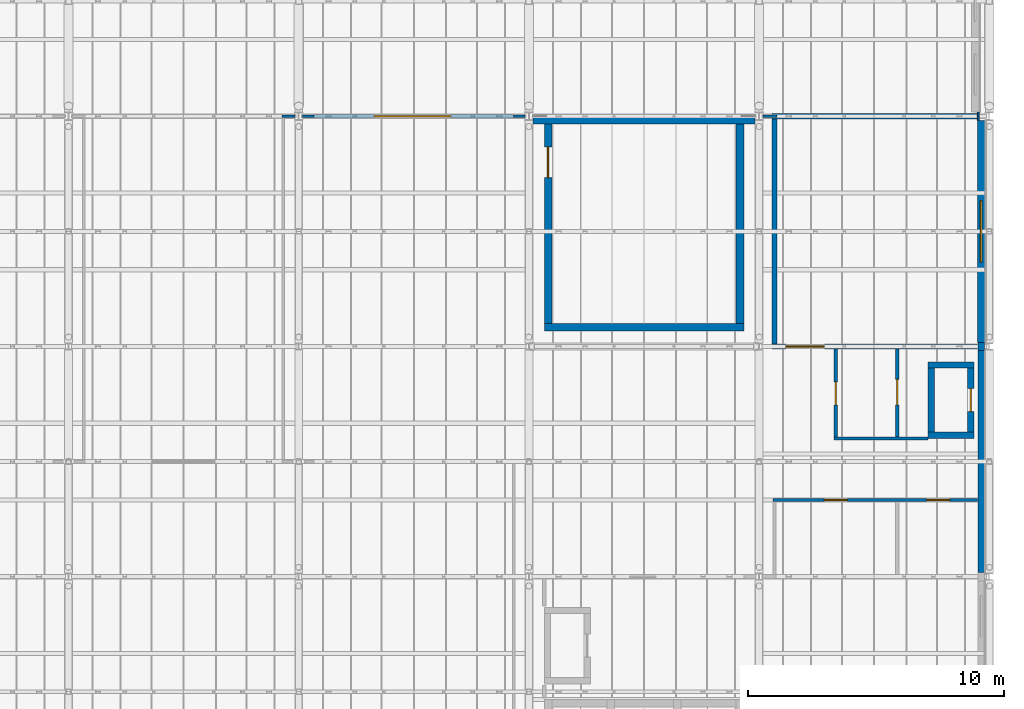
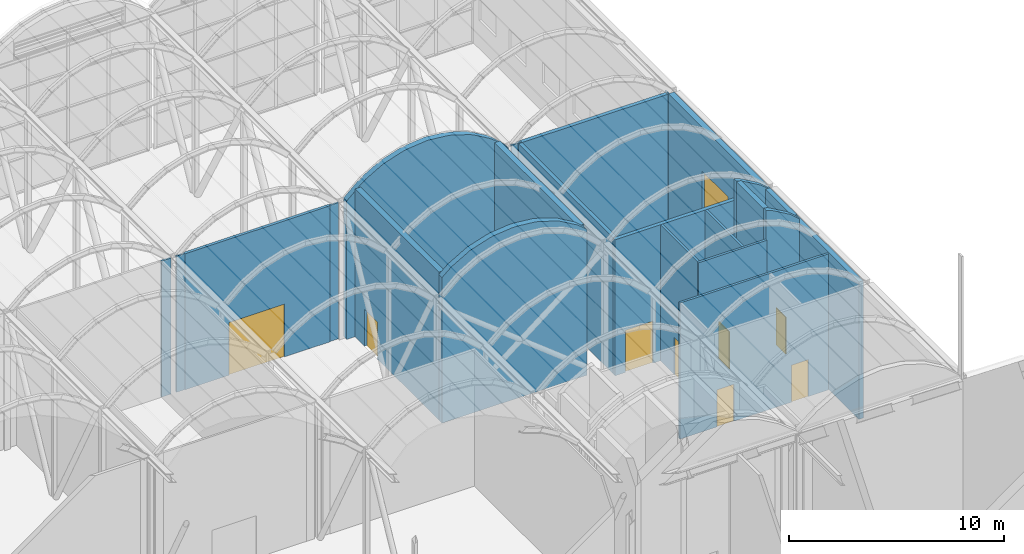
# One storey, part 131 of 144: 24 walls, 8 doors, 1 window, 9 openings.
"""IFC4 building model written with IfcOpenShell, lengths in metres."""

from ifc_helpers import new_model, si_unit, direction, frame, frame_2d, origin, place, context, subcontext, project, spatial, polyline, rectangle, outline, extrude, material, layer, layer_set, type_object, element, fill, save


model = new_model("IFC4")

# Units and contexts
model_context = context("Model", 3, precision=1e-05, world=origin(), true_north=direction((0.0, 1.0)))
body_context = subcontext(model_context, "Body", "Model", "MODEL_VIEW")
ifc_project = project(units=[si_unit("LENGTHUNIT", "METRE"), si_unit("AREAUNIT", "SQUARE_METRE"), si_unit("VOLUMEUNIT", "CUBIC_METRE"), si_unit("PLANEANGLEUNIT", "RADIAN"), si_unit("MASSUNIT", "GRAM", prefix="KILO")], contexts=[model_context])

# Site, building, storey
site_placement = place(None, origin())
site = spatial("IfcSite", under=ifc_project, at=site_placement, CompositionType="ELEMENT")
building_placement = place(site_placement, origin())
building = spatial("IfcBuilding", under=site, at=building_placement, Name="Shorebreak Coast Museum", CompositionType="ELEMENT")
storey_placement = place(building_placement, frame((0.0, 0.0, 36.0)))
storey = spatial("IfcBuildingStorey", under=building, at=storey_placement, Name="L06", CompositionType="ELEMENT", Elevation=36.0)

# Walls
ifc_material_1 = material(Name="Concrete N50 (50 MPa)", Category="concrete")
ifc_layer_1 = layer(ifc_material_1, 0.25)
ifc_layer_set_1 = layer_set([ifc_layer_1], Name="Concrete N50 (50 MPa)")
wall_type_1 = type_object("IfcWallType", Name="Column closure panel 250", PredefinedType="SOLIDWALL", material=ifc_layer_set_1)
wall_1_placement = place(storey_placement, frame((116.681396484375, 107.839111328125, 0.0), z_axis=(0.0, 0.0, 1.0), x_axis=(0.0, 1.0, 0.0)))
element("IfcWall", 1, at=wall_1_placement, inside=storey, type_object=wall_type_1, Name="Column closure panel L06 E 14N", PredefinedType="SOLIDWALL", context=body_context, shape_type="SweptSolid", body=[
    extrude(rectangle(XDim=0.32177734375, YDim=0.25, at=frame_2d((0.160888671875, 0.0))), origin(), (0.0, 0.0, 1.0), 7.800048828125),
])
ifc_material_2 = material(Name="Concrete N50 (50 MPa)", Category="concrete")
ifc_layer_2 = layer(ifc_material_2, 0.068603515625)
ifc_layer_set_2 = layer_set([ifc_layer_2], Name="Concrete N50 (50 MPa)")
wall_type_2 = type_object("IfcWallType", Name="Column closure panel 69", PredefinedType="SOLIDWALL", material=ifc_layer_set_2)
wall_2_placement = place(storey_placement, frame((116.565673828125, 116.83642578125, 0.0), z_axis=(0.0, 0.0, 1.0), x_axis=(0.0, 1.0, 0.0)))
element("IfcWall", 2, at=wall_2_placement, inside=storey, type_object=wall_type_2, Name="Column closure panel L06 E 14P", PredefinedType="SOLIDWALL", context=body_context, shape_type="SweptSolid", body=[
    extrude(rectangle(XDim=0.3271484375, YDim=0.068603515625, at=frame_2d((0.16357421875, 0.0))), origin(), (0.0, 0.0, 1.0), 7.800048828125),
])

# Wall, opening, door
ifc_material_3 = material(Name="Plasterboard on steel stud", Category="steel")
ifc_layer_3 = layer(ifc_material_3, 0.14990234375)
ifc_layer_set_3 = layer_set([ifc_layer_3], Name="Plasterboard on steel stud")
wall_type_3 = type_object("IfcWallType", Name="Fire partition 150", PredefinedType="PARTITIONING", material=ifc_layer_set_3)
wall_3_placement = place(storey_placement, frame((90.60009765625, 117.0, 0.0), z_axis=(0.0, 0.0, 1.0), x_axis=(1.0, 0.0, 0.0)))
wall_3 = element("IfcWall", 3, at=wall_3_placement, inside=storey, type_object=wall_type_3, Name="Partition L06-047", PredefinedType="PARTITIONING", context=body_context, shape_type="SweptSolid", body=[
    extrude(rectangle(XDim=7.7998046875, YDim=0.14990234375, at=frame_2d((3.89990234375, 0.0))), origin(), (0.0, 0.0, 1.0), 7.73095703125),
])
opening_1_placement = place(wall_3_placement, frame((2.35009765625, 0.0, 0.0)))
opening_1 = element("IfcOpeningElement", 4, at=opening_1_placement, cuts=wall_3, Name="Opening D6023", PredefinedType="OPENING", context=body_context, shape_type="SweptSolid", body=[
    extrude(rectangle(XDim=3.0, YDim=3.0, at=frame_2d((1.5, 1.5))), frame((0.0, 0.0849609375, 0.0), z_axis=(0.0, -1.0, 0.0), x_axis=(1.0, 0.0, 0.0)), (0.0, 0.0, 1.0), 0.169921875),
])
ifc_material_4 = material(Name="Steel", Category="steel")
door_type_1 = type_object("IfcDoorType", Name="Fire door 3000x3000 60", OperationType="DOUBLE_DOOR_SINGLE_SWING", PredefinedType="DOOR", material=ifc_material_4)
door_1_placement = place(opening_1_placement, origin())
door_1 = element("IfcDoor", 5, at=door_1_placement, inside=storey, type_object=door_type_1, Name="Door D6023 Top-lit Gallery 6.03", OperationType="DOUBLE_DOOR_SINGLE_SWING", OverallHeight=3.0, OverallWidth=3.0, PredefinedType="DOOR", context=body_context, shape_type="SweptSolid", body=[
    extrude(rectangle(XDim=3.0, YDim=3.0, at=frame_2d((1.5, 1.5))), frame((0.0, 0.02490234375, 0.0), z_axis=(0.0, -1.0, 0.0), x_axis=(1.0, 0.0, 0.0)), (0.0, 0.0, 1.0), 0.050048828125),
])
fill(opening_1, door_1)

ifc_material_5 = material(Name="Concrete masonry", Category="masonry")
ifc_layer_4 = layer(ifc_material_5, 0.199951171875)
ifc_layer_set_4 = layer_set([ifc_layer_4], Name="Concrete masonry")
wall_type_4 = type_object("IfcWallType", Name="Fire wall 200", PredefinedType="PARTITIONING", material=ifc_layer_set_4)
wall_4_placement = place(storey_placement, frame((108.5, 108.0, 0.0), z_axis=(0.0, 0.0, 1.0), x_axis=(1.0, 0.0, 0.0)))
wall_4 = element("IfcWall", 6, at=wall_4_placement, inside=storey, type_object=wall_type_4, Name="Partition L06-037", PredefinedType="PARTITIONING", context=body_context, shape_type="SweptSolid", body=[
    extrude(rectangle(XDim=8.031494140625, YDim=0.199951171875, at=frame_2d((4.015625, 0.0))), origin(), (0.0, 0.0, 1.0), 7.73095703125),
])
opening_2_placement = place(wall_4_placement, frame((0.550048828125, 0.0, 0.0)))
opening_2 = element("IfcOpeningElement", 7, at=opening_2_placement, cuts=wall_4, Name="Opening D6019", PredefinedType="OPENING", context=body_context, shape_type="SweptSolid", body=[
    extrude(rectangle(XDim=1.5, YDim=2.39990234375, at=frame_2d((0.75, 1.199951171875))), frame((0.0, 0.10986328125, 0.0), z_axis=(0.0, -1.0, 0.0), x_axis=(1.0, 0.0, 0.0)), (0.0, 0.0, 1.0), 0.219970703125),
])
ifc_material_6 = material(Name="Steel", Category="steel")
door_type_2 = type_object("IfcDoorType", Name="Fire door 1500x2400 120", OperationType="DOUBLE_DOOR_SINGLE_SWING", PredefinedType="DOOR", material=ifc_material_6)
door_2_placement = place(opening_2_placement, origin())
door_2 = element("IfcDoor", 8, at=door_2_placement, inside=storey, type_object=door_type_2, Name="Door D6019 Plant Room 6.02", OperationType="DOUBLE_DOOR_SINGLE_SWING", OverallHeight=2.39990234375, OverallWidth=1.5, PredefinedType="DOOR", context=body_context, shape_type="SweptSolid", body=[
    extrude(rectangle(XDim=1.5, YDim=2.39990234375, at=frame_2d((0.75, 1.199951171875))), frame((0.0, 0.02490234375, 0.0), z_axis=(0.0, -1.0, 0.0), x_axis=(1.0, 0.0, 0.0)), (0.0, 0.0, 1.0), 0.050048828125),
])
fill(opening_2, door_2)

# Walls
wall_5_placement = place(storey_placement, frame((108.5, 117.0, 0.0), z_axis=(0.0, 0.0, 1.0), x_axis=(1.0, 0.0, 0.0)))
element("IfcWall", 9, at=wall_5_placement, inside=storey, type_object=wall_type_4, Name="Partition L06-050", PredefinedType="PARTITIONING", context=body_context, shape_type="SweptSolid", body=[
    extrude(rectangle(XDim=8.031494140625, YDim=0.199951171875, at=frame_2d((4.015625, 0.0))), origin(), (0.0, 0.0, 1.0), 7.73095703125),
])
wall_6_placement = place(storey_placement, frame((108.60009765625, 108.10009765625, 0.0), z_axis=(0.0, 0.0, 1.0), x_axis=(0.0, 1.0, 0.0)))
element("IfcWall", 10, at=wall_6_placement, inside=storey, type_object=wall_type_4, Name="Partition L06-076", PredefinedType="PARTITIONING", context=body_context, shape_type="SweptSolid", body=[
    extrude(rectangle(XDim=8.7998046875, YDim=0.199951171875, at=frame_2d((4.39990234375, 0.0))), origin(), (0.0, 0.0, 1.0), 7.73095703125),
])
ifc_material_7 = material(Name="Plasterboard on steel stud", Category="steel")
ifc_layer_5 = layer(ifc_material_7, 0.10009765625)
ifc_layer_set_5 = layer_set([ifc_layer_5], Name="Plasterboard on steel stud")
wall_type_5 = type_object("IfcWallType", Name="Partition 100", PredefinedType="PARTITIONING", material=ifc_layer_set_5)
wall_7_placement = place(storey_placement, frame((89.3505859375, 117.0, 0.0), z_axis=(0.0, 0.0, 1.0), x_axis=(1.0, 0.0, 0.0)))
element("IfcWall", 11, at=wall_7_placement, inside=storey, type_object=wall_type_5, Name="Partition L06-045", PredefinedType="PARTITIONING", context=body_context, shape_type="SweptSolid", body=[
    extrude(rectangle(XDim=0.493896484375, YDim=0.10009765625, at=frame_2d((0.2470703125, 0.0))), origin(), (0.0, 0.0, 1.0), 7.73095703125),
])
for number, where, z_axis, x_axis, name in (
    (12, (90.155517578125, 117.0, 0.0), (0.0, 0.0, 1.0), (1.0, 0.0, 0.0), "Partition L06-046"),
    (13, (98.400390625, 117.0, 0.0), (0.0, 0.0, 1.0), (1.0, 0.0, 0.0), "Partition L06-048"),
):
    element("IfcWall", number, at=place(storey_placement, frame(where, z_axis=z_axis, x_axis=x_axis)), inside=storey, type_object=wall_type_5, Name=name, PredefinedType="PARTITIONING", context=body_context, shape_type="SweptSolid", body=[
        extrude(rectangle(XDim=0.444091796875, YDim=0.10009765625, at=frame_2d((0.22216796875, 0.0))), origin(), (0.0, 0.0, 1.0), 7.73095703125),
    ])
wall_8_placement = place(storey_placement, frame((108.155517578125, 117.0, 0.0), z_axis=(0.0, 0.0, 1.0), x_axis=(1.0, 0.0, 0.0)))
element("IfcWall", 14, at=wall_8_placement, inside=storey, type_object=wall_type_5, Name="Partition L06-049", PredefinedType="PARTITIONING", context=body_context, shape_type="SweptSolid", body=[
    extrude(rectangle(XDim=0.5439453125, YDim=0.10009765625, at=frame_2d((0.27197265625, 0.0))), origin(), (0.0, 0.0, 1.0), 7.73095703125),
])

# Wall, openings, doors
ifc_material_8 = material(Name="Plasterboard on steel stud", Category="steel")
ifc_layer_6 = layer(ifc_material_8, 0.125)
ifc_layer_set_6 = layer_set([ifc_layer_6], Name="Plasterboard on steel stud")
wall_type_6 = type_object("IfcWallType", Name="Partition 125", PredefinedType="PARTITIONING", material=ifc_layer_set_6)
wall_9_placement = place(storey_placement, frame((108.53759765625, 102.0, 0.0), z_axis=(0.0, 0.0, 1.0), x_axis=(1.0, 0.0, 0.0)))
wall_9 = element("IfcWall", 15, at=wall_9_placement, inside=storey, type_object=wall_type_6, Name="Partition L06-026", PredefinedType="PARTITIONING", context=body_context, shape_type="SweptSolid", body=[
    extrude(rectangle(XDim=7.993896484375, YDim=0.125, at=frame_2d((3.9970703125, 0.0))), origin(), (0.0, 0.0, 1.0), 7.73095703125),
])
opening_3_placement = place(wall_9_placement, frame((6.012451171875, 0.0, 0.0)))
opening_3 = element("IfcOpeningElement", 16, at=opening_3_placement, cuts=wall_9, Name="Opening D6016", PredefinedType="OPENING", context=body_context, shape_type="SweptSolid", body=[
    extrude(rectangle(XDim=0.89990234375, YDim=2.10009765625, at=frame_2d((0.449951171875, 1.050048828125))), frame((0.0, 0.072509765625, 0.0), z_axis=(0.0, -1.0, 0.0), x_axis=(1.0, 0.0, 0.0)), (0.0, 0.0, 1.0), 0.14501953125),
])
opening_4_placement = place(wall_9_placement, frame((2.012451171875, 0.0, 0.0)))
opening_4 = element("IfcOpeningElement", 17, at=opening_4_placement, cuts=wall_9, Name="Opening D6017", PredefinedType="OPENING", context=body_context, shape_type="SweptSolid", body=[
    extrude(rectangle(XDim=0.89990234375, YDim=2.10009765625, at=frame_2d((0.449951171875, 1.050048828125))), frame((0.0, 0.072509765625, 0.0), z_axis=(0.0, -1.0, 0.0), x_axis=(1.0, 0.0, 0.0)), (0.0, 0.0, 1.0), 0.14501953125),
])
ifc_material_9 = material(Name="Timber", Category="wood")
door_type_3 = type_object("IfcDoorType", Name="Interior door 900x2100", OperationType="SINGLE_SWING_LEFT", PredefinedType="DOOR", material=ifc_material_9)
door_3_placement = place(opening_3_placement, origin())
door_3 = element("IfcDoor", 18, at=door_3_placement, inside=storey, type_object=door_type_3, Name="Door D6016 Accessible WC N2", OperationType="SINGLE_SWING_LEFT", OverallHeight=2.10009765625, OverallWidth=0.89990234375, PredefinedType="DOOR", context=body_context, shape_type="SweptSolid", body=[
    extrude(rectangle(XDim=0.89990234375, YDim=2.10009765625, at=frame_2d((0.449951171875, 1.050048828125))), frame((0.0, 0.02490234375, 0.0), z_axis=(0.0, -1.0, 0.0), x_axis=(1.0, 0.0, 0.0)), (0.0, 0.0, 1.0), 0.050048828125),
])
fill(opening_3, door_3)
door_4_placement = place(opening_4_placement, origin())
door_4 = element("IfcDoor", 19, at=door_4_placement, inside=storey, type_object=door_type_3, Name="Door D6017 Male WC N2", OperationType="SINGLE_SWING_LEFT", OverallHeight=2.10009765625, OverallWidth=0.89990234375, PredefinedType="DOOR", context=body_context, shape_type="SweptSolid", body=[
    extrude(rectangle(XDim=0.89990234375, YDim=2.10009765625, at=frame_2d((0.449951171875, 1.050048828125))), frame((0.0, 0.02490234375, 0.0), z_axis=(0.0, -1.0, 0.0), x_axis=(1.0, 0.0, 0.0)), (0.0, 0.0, 1.0), 0.050048828125),
])
fill(opening_4, door_4)

# Wall
wall_10_placement = place(storey_placement, frame((110.9375, 104.39990234375, 0.0), z_axis=(0.0, 0.0, 1.0), x_axis=(1.0, 0.0, 0.0)))
element("IfcWall", 20, at=wall_10_placement, inside=storey, type_object=wall_type_6, Name="Partition L06-035", PredefinedType="PARTITIONING", context=body_context, shape_type="SweptSolid", body=[
    extrude(rectangle(XDim=3.66259765625, YDim=0.125, at=frame_2d((1.831298828125, 0.0))), origin(), (0.0, 0.0, 1.0), 7.73095703125),
])

# Wall, opening, door
wall_11_placement = place(storey_placement, frame((111.0, 104.46240234375, 0.0), z_axis=(0.0, 0.0, 1.0), x_axis=(0.0, 1.0, 0.0)))
wall_11 = element("IfcWall", 21, at=wall_11_placement, inside=storey, type_object=wall_type_6, Name="Partition L06-081", PredefinedType="PARTITIONING", context=body_context, shape_type="SweptSolid", body=[
    extrude(rectangle(XDim=3.4375, YDim=0.125, at=frame_2d((1.71875, 0.0))), origin(), (0.0, 0.0, 1.0), 7.73095703125),
])
opening_5_placement = place(wall_11_placement, frame((1.25, 0.0, 0.0)))
opening_5 = element("IfcOpeningElement", 22, at=opening_5_placement, cuts=wall_11, Name="Opening D6015", PredefinedType="OPENING", context=body_context, shape_type="SweptSolid", body=[
    extrude(rectangle(XDim=0.89990234375, YDim=2.10009765625, at=frame_2d((0.449951171875, 1.050048828125))), frame((0.0, 0.072509765625, 0.0), z_axis=(0.0, -1.0, 0.0), x_axis=(1.0, 0.0, 0.0)), (0.0, 0.0, 1.0), 0.14501953125),
])
door_5_placement = place(opening_5_placement, origin())
door_5 = element("IfcDoor", 23, at=door_5_placement, inside=storey, type_object=door_type_3, Name="Door D6015 Female WC N2", OperationType="SINGLE_SWING_LEFT", OverallHeight=2.10009765625, OverallWidth=0.89990234375, PredefinedType="DOOR", context=body_context, shape_type="SweptSolid", body=[
    extrude(rectangle(XDim=0.89990234375, YDim=2.10009765625, at=frame_2d((0.449951171875, 1.050048828125))), frame((0.0, 0.02490234375, 0.0), z_axis=(0.0, -1.0, 0.0), x_axis=(1.0, 0.0, 0.0)), (0.0, 0.0, 1.0), 0.050048828125),
])
fill(opening_5, door_5)

wall_12_placement = place(storey_placement, frame((113.39990234375, 104.46240234375, 0.0), z_axis=(0.0, 0.0, 1.0), x_axis=(0.0, 1.0, 0.0)))
wall_12 = element("IfcWall", 24, at=wall_12_placement, inside=storey, type_object=wall_type_6, Name="Partition L06-083", PredefinedType="PARTITIONING", context=body_context, shape_type="SweptSolid", body=[
    extrude(rectangle(XDim=3.4375, YDim=0.125, at=frame_2d((1.71875, 0.0))), origin(), (0.0, 0.0, 1.0), 7.73095703125),
])
opening_6_placement = place(wall_12_placement, frame((1.25, 0.0, 0.0)))
opening_6 = element("IfcOpeningElement", 25, at=opening_6_placement, cuts=wall_12, Name="Opening D6014", PredefinedType="OPENING", context=body_context, shape_type="SweptSolid", body=[
    extrude(rectangle(XDim=1.0, YDim=2.10009765625, at=frame_2d((0.5, 1.050048828125))), frame((0.0, 0.072509765625, 0.0), z_axis=(0.0, -1.0, 0.0), x_axis=(1.0, 0.0, 0.0)), (0.0, 0.0, 1.0), 0.14501953125),
])
ifc_material_10 = material(Name="Timber", Category="wood")
door_type_4 = type_object("IfcDoorType", Name="Interior door 1000x2100", OperationType="SINGLE_SWING_LEFT", PredefinedType="DOOR", material=ifc_material_10)
door_6_placement = place(opening_6_placement, origin())
door_6 = element("IfcDoor", 26, at=door_6_placement, inside=storey, type_object=door_type_4, Name="Door D6014 Cleaner Store N2", OperationType="SINGLE_SWING_RIGHT", OverallHeight=2.10009765625, OverallWidth=1.0, PredefinedType="DOOR", context=body_context, shape_type="SweptSolid", body=[
    extrude(rectangle(XDim=1.0, YDim=2.10009765625, at=frame_2d((0.5, 1.050048828125))), frame((0.0, 0.02490234375, 0.0), z_axis=(0.0, -1.0, 0.0), x_axis=(1.0, 0.0, 0.0)), (0.0, 0.0, 1.0), 0.050048828125),
])
fill(opening_6, door_6)

# Wall, opening, window
ifc_material_11 = material(Name="Concrete N50 (50 MPa)", Category="concrete")
ifc_layer_7 = layer(ifc_material_11, 0.300048828125)
ifc_layer_set_7 = layer_set([ifc_layer_7], Name="Concrete N50 (50 MPa)")
wall_type_7 = type_object("IfcWallType", Name="Plant wall 300 rated", PredefinedType="SOLIDWALL", material=ifc_layer_set_7)
wall_13_placement = place(storey_placement, frame((116.681396484375, 108.160888671875, 0.0), z_axis=(0.0, 0.0, 1.0), x_axis=(0.0, 1.0, 0.0)))
wall_13 = element("IfcWall", 27, at=wall_13_placement, inside=storey, type_object=wall_type_7, Name="External wall L06 E 14N", PredefinedType="SOLIDWALL", context=body_context, shape_type="SweptSolid", body=[
    extrude(rectangle(XDim=8.675537109375, YDim=0.300048828125, at=frame_2d((4.337890625, 0.0))), origin(), (0.0, 0.0, 1.0), 7.800048828125),
])
opening_7_placement = place(wall_13_placement, frame((3.138916015625, 0.0, 2.300048828125)))
opening_7 = element("IfcOpeningElement", 28, at=opening_7_placement, cuts=wall_13, Name="Opening WN6002", PredefinedType="OPENING", context=body_context, shape_type="SweptSolid", body=[
    extrude(rectangle(XDim=2.39990234375, YDim=3.0, at=frame_2d((1.199951171875, 1.5))), frame((0.0, 0.159912109375, 0.0), z_axis=(0.0, -1.0, 0.0), x_axis=(1.0, 0.0, 0.0)), (0.0, 0.0, 1.0), 0.320068359375),
])
ifc_material_12 = material(Name="Aluminium", Category="aluminium")
window_type = type_object("IfcWindowType", Name="Plant louvre 2400 x 3000", PartitioningType="TRIPLE_PANEL_VERTICAL", PredefinedType="WINDOW", material=ifc_material_12)
window_placement = place(opening_7_placement, origin())
window = element("IfcWindow", 29, at=window_placement, inside=storey, type_object=window_type, Name="Louvre WN6002", OverallHeight=3.0, OverallWidth=2.39990234375, PartitioningType="TRIPLE_PANEL_VERTICAL", PredefinedType="WINDOW", context=body_context, shape_type="SweptSolid", body=[
    extrude(rectangle(XDim=2.39990234375, YDim=3.0, at=frame_2d((1.199951171875, 1.5))), frame((0.0, 0.030029296875, 0.0), z_axis=(0.0, -1.0, 0.0), x_axis=(1.0, 0.0, 0.0)), (0.0, 0.0, 1.0), 0.06005859375),
])
fill(opening_7, window)

# Walls
ifc_material_13 = material(Name="Concrete N50 (50 MPa)", Category="concrete")
ifc_layer_8 = layer(ifc_material_13, 0.25)
ifc_layer_set_8 = layer_set([ifc_layer_8], Name="Concrete N50 (50 MPa)")
wall_type_8 = type_object("IfcWallType", Name="Precast upper panel 250", PredefinedType="SOLIDWALL", material=ifc_layer_set_8)
wall_14_placement = place(storey_placement, frame((116.681396484375, 99.160888671875, 0.0), z_axis=(0.0, 0.0, 1.0), x_axis=(0.0, 1.0, 0.0)))
element("IfcWall", 30, at=wall_14_placement, inside=storey, type_object=wall_type_8, Name="External wall L06 E 14M", PredefinedType="SOLIDWALL", context=body_context, shape_type="SweptSolid", body=[
    extrude(rectangle(XDim=8.67822265625, YDim=0.25, at=frame_2d((4.339111328125, 0.0))), origin(), (0.0, 0.0, 1.0), 7.800048828125),
])
ifc_material_14 = material(Name="Concrete N50 (50 MPa)", Category="concrete")
ifc_layer_9 = layer(ifc_material_14, 0.25)
ifc_layer_set_9 = layer_set([ifc_layer_9], Name="Concrete N50 (50 MPa)")
wall_type_9 = type_object("IfcWallType", Name="RC riser wall 250", PredefinedType="STANDARD", material=ifc_layer_set_9)
for number, where, z_axis, x_axis, name in (
    (31, (114.60009765625, 104.52490234375, 0.0), (0.0, 0.0, 1.0), (1.0, 0.0, 0.0), "Riser wall R-WC-N2 L06 S"),
    (32, (114.60009765625, 107.27490234375, 0.0), (0.0, 0.0, 1.0), (1.0, 0.0, 0.0), "Riser wall R-WC-N2 L06 N"),
):
    element("IfcWall", number, at=place(storey_placement, frame(where, z_axis=z_axis, x_axis=x_axis)), inside=storey, type_object=wall_type_9, Name=name, PredefinedType="STANDARD", context=body_context, shape_type="SweptSolid", body=[
        extrude(outline(polyline([(0.0, 0.0), (1.7998046875, 0.0), (1.800048828125, 8.27001953125), (1.54296875, 8.501220703125), (1.28564453125, 8.714599609375), (0.514404296875, 9.158935546875), (0.257080078125, 9.30126953125), (0.0, 9.384765625), (0.0, 0.0)])), frame((0.0, 0.125, 0.0), z_axis=(0.0, -1.0, 0.0), x_axis=(1.0, 0.0, 0.0)), (0.0, 0.0, 1.0), 0.25),
    ])
wall_15_placement = place(storey_placement, frame((114.72509765625, 104.64990234375, 0.0), z_axis=(0.0, 0.0, 1.0), x_axis=(0.0, 1.0, 0.0)))
element("IfcWall", 33, at=wall_15_placement, inside=storey, type_object=wall_type_9, Name="Riser wall R-WC-N2 L06 W", PredefinedType="STANDARD", context=body_context, shape_type="SweptSolid", body=[
    extrude(rectangle(XDim=2.5, YDim=0.25, at=frame_2d((1.25, 0.0))), origin(), (0.0, 0.0, 1.0), 9.34423828125),
])

# Wall, opening, door
wall_16_placement = place(storey_placement, frame((116.27490234375, 104.64990234375, 0.0), z_axis=(0.0, 0.0, 1.0), x_axis=(0.0, 1.0, 0.0)))
wall_16 = element("IfcWall", 34, at=wall_16_placement, inside=storey, type_object=wall_type_9, Name="Riser wall R-WC-N2 L06 E", PredefinedType="STANDARD", context=body_context, shape_type="SweptSolid", body=[
    extrude(rectangle(XDim=2.5, YDim=0.25, at=frame_2d((1.25, 0.0))), origin(), (0.0, 0.0, 1.0), 8.38232421875),
])
opening_8_placement = place(wall_16_placement, frame((0.800048828125, 0.0, 0.0)))
opening_8 = element("IfcOpeningElement", 35, at=opening_8_placement, cuts=wall_16, Name="Opening D6602", PredefinedType="OPENING", context=body_context, shape_type="SweptSolid", body=[
    extrude(rectangle(XDim=0.89990234375, YDim=2.10009765625, at=frame_2d((0.449951171875, 1.050048828125))), frame((0.0, 0.135009765625, 0.0), z_axis=(0.0, -1.0, 0.0), x_axis=(1.0, 0.0, 0.0)), (0.0, 0.0, 1.0), 0.27001953125),
])
ifc_material_15 = material(Name="Steel Grade 300", Category="steel")
door_type_5 = type_object("IfcDoorType", Name="Riser door 900x2100", OperationType="SINGLE_SWING_LEFT", PredefinedType="DOOR", material=ifc_material_15)
door_7_placement = place(opening_8_placement, origin())
door_7 = element("IfcDoor", 36, at=door_7_placement, inside=storey, type_object=door_type_5, Name="Riser door R-WC-N2 L06", OperationType="SINGLE_SWING_RIGHT", OverallHeight=2.10009765625, OverallWidth=0.89990234375, PredefinedType="DOOR", context=body_context, shape_type="SweptSolid", body=[
    extrude(rectangle(XDim=0.89990234375, YDim=2.10009765625, at=frame_2d((0.449951171875, 1.050048828125))), frame((0.0, 0.02490234375, 0.0), z_axis=(0.0, -1.0, 0.0), x_axis=(1.0, 0.0, 0.0)), (0.0, 0.0, 1.0), 0.050048828125),
])
fill(opening_8, door_7)

# Walls
ifc_material_16 = material(Name="Concrete N50 (50 MPa)", Category="concrete")
ifc_layer_10 = layer(ifc_material_16, 0.300048828125)
ifc_layer_set_10 = layer_set([ifc_layer_10], Name="Concrete N50 (50 MPa)")
wall_type_10 = type_object("IfcWallType", Name="RC wall 300", PredefinedType="SHEAR", material=ifc_layer_set_10)
wall_17_placement = place(storey_placement, frame((99.60009765625, 108.75, 0.0), z_axis=(0.0, 0.0, 1.0), x_axis=(1.0, 0.0, 0.0)))
element("IfcWall", 37, at=wall_17_placement, inside=storey, type_object=wall_type_10, Name="Stair core wall ST10 L06 S", PredefinedType="SHEAR", context=body_context, shape_type="SweptSolid", body=[
    extrude(outline(polyline([(0.0, 0.0), (7.7998046875, 0.0), (7.800048828125, 8.27001953125), (7.54833984375, 8.49609375), (7.296875, 8.7080078125), (6.5419921875, 9.14306640625), (6.290283203125, 9.29052734375), (5.283935546875, 9.616943359375), (5.0322265625, 9.68017578125), (4.02587890625, 9.78564453125), (3.774169921875, 9.78564453125), (2.767578125, 9.68017578125), (2.51611328125, 9.616943359375), (1.509765625, 9.29052734375), (1.258056640625, 9.14306640625), (0.503173828125, 8.7080078125), (0.251708984375, 8.49609375), (0.0, 8.27001953125), (0.0, 0.0)])), frame((0.0, 0.14990234375, 0.0), z_axis=(0.0, -1.0, 0.0), x_axis=(1.0, 0.0, 0.0)), (0.0, 0.0, 1.0), 0.300048828125),
])
wall_18_placement = place(storey_placement, frame((99.155517578125, 116.85009765625, 0.0), z_axis=(0.0, 0.0, 1.0), x_axis=(1.0, 0.0, 0.0)))
element("IfcWall", 38, at=wall_18_placement, inside=storey, type_object=wall_type_10, Name="Stair core wall ST10 L06 N", PredefinedType="SHEAR", context=body_context, shape_type="SweptSolid", body=[
    extrude(outline(polyline([(0.0, 0.0), (8.68896484375, 0.0), (8.68896484375, 7.870849609375), (7.92236328125, 8.5595703125), (7.666748046875, 8.7509765625), (6.900146484375, 9.19287109375), (6.64453125, 9.31982421875), (5.622314453125, 9.6513671875), (5.36669921875, 9.691650390625), (4.344482421875, 9.798828125), (3.322265625, 9.691650390625), (3.066650390625, 9.6513671875), (2.04443359375, 9.31982421875), (1.788818359375, 9.19287109375), (1.022216796875, 8.7509765625), (0.7666015625, 8.5595703125), (0.0, 7.870849609375), (0.0, 0.0)])), frame((0.0, 0.14990234375, 0.0), z_axis=(0.0, -1.0, 0.0), x_axis=(1.0, 0.0, 0.0)), (0.0, 0.0, 1.0), 0.300048828125),
])

# Wall, opening, door
wall_19_placement = place(storey_placement, frame((99.75, 108.89990234375, 0.0), z_axis=(0.0, 0.0, 1.0), x_axis=(0.0, 1.0, 0.0)))
wall_19 = element("IfcWall", 39, at=wall_19_placement, inside=storey, type_object=wall_type_10, Name="Stair core wall ST10 L06 W", PredefinedType="SHEAR", context=body_context, shape_type="SweptSolid", body=[
    extrude(rectangle(XDim=7.800048828125, YDim=0.300048828125, at=frame_2d((3.89990234375, 0.0))), origin(), (0.0, 0.0, 1.0), 8.40478515625),
])
opening_9_placement = place(wall_19_placement, frame((5.699951171875, 0.0, 0.0)))
opening_9 = element("IfcOpeningElement", 40, at=opening_9_placement, cuts=wall_19, Name="Opening D6810", PredefinedType="OPENING", context=body_context, shape_type="SweptSolid", body=[
    extrude(rectangle(XDim=1.199951171875, YDim=2.10009765625, at=frame_2d((0.60009765625, 1.050048828125))), frame((0.0, 0.159912109375, 0.0), z_axis=(0.0, -1.0, 0.0), x_axis=(1.0, 0.0, 0.0)), (0.0, 0.0, 1.0), 0.320068359375),
])
ifc_material_17 = material(Name="Steel Grade 300", Category="steel")
door_type_6 = type_object("IfcDoorType", Name="Fire door 1200x2100", OperationType="SINGLE_SWING_LEFT", PredefinedType="DOOR", material=ifc_material_17)
door_8_placement = place(opening_9_placement, origin())
door_8 = element("IfcDoor", 41, at=door_8_placement, inside=storey, type_object=door_type_6, Name="Stair door ST10 L06", OperationType="SINGLE_SWING_RIGHT", OverallHeight=2.10009765625, OverallWidth=1.199951171875, PredefinedType="DOOR", context=body_context, shape_type="SweptSolid", body=[
    extrude(rectangle(XDim=1.199951171875, YDim=2.10009765625, at=frame_2d((0.60009765625, 1.050048828125))), frame((0.0, 0.02490234375, 0.0), z_axis=(0.0, -1.0, 0.0), x_axis=(1.0, 0.0, 0.0)), (0.0, 0.0, 1.0), 0.050048828125),
])
fill(opening_9, door_8)

# Wall
wall_20_placement = place(storey_placement, frame((107.25, 108.89990234375, 0.0), z_axis=(0.0, 0.0, 1.0), x_axis=(0.0, 1.0, 0.0)))
element("IfcWall", 42, at=wall_20_placement, inside=storey, type_object=wall_type_10, Name="Stair core wall ST10 L06 E", PredefinedType="SHEAR", context=body_context, shape_type="SweptSolid", body=[
    extrude(rectangle(XDim=7.800048828125, YDim=0.300048828125, at=frame_2d((3.89990234375, 0.0))), origin(), (0.0, 0.0, 1.0), 8.40478515625),
])

save(model, "model.ifc")
